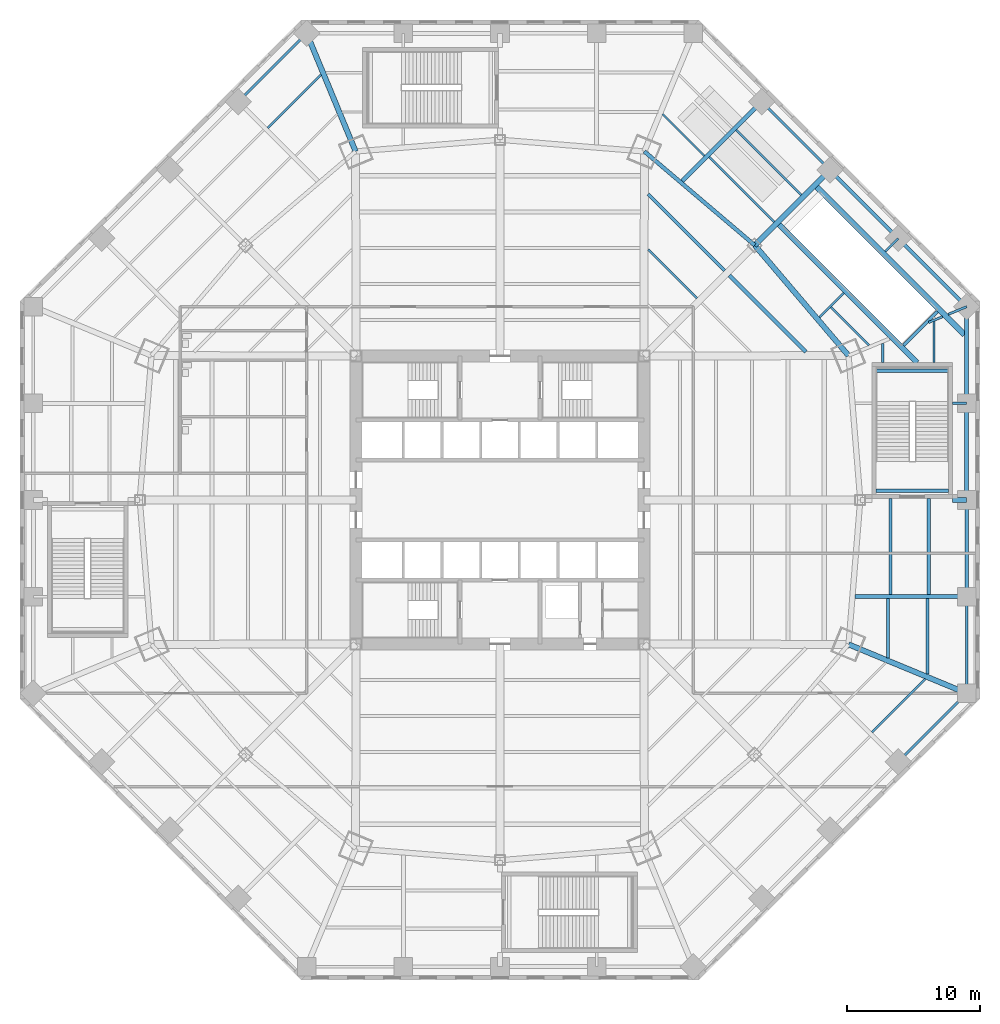
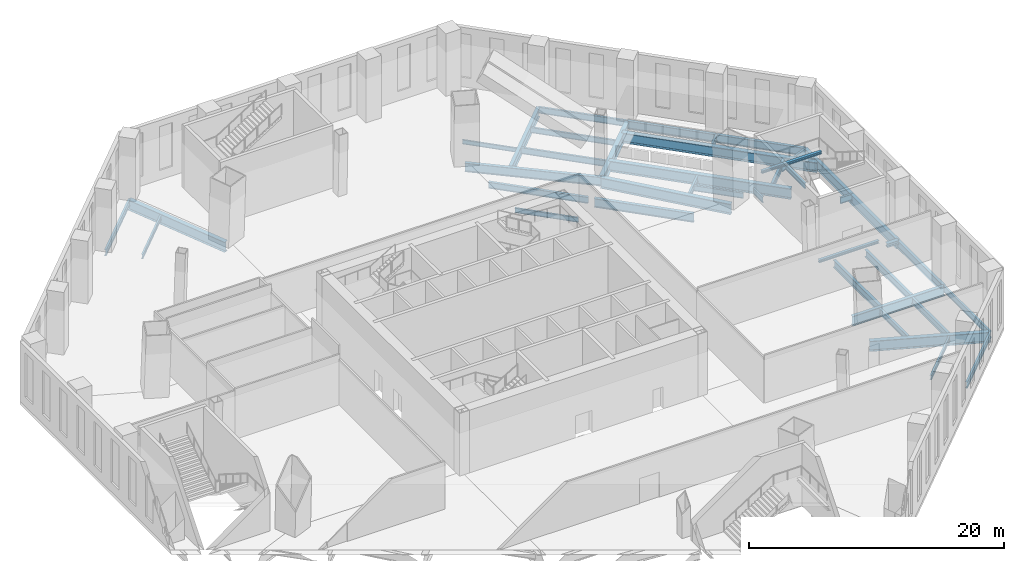
# One storey, part 5 of 20: 39 beams, 3 members.
"""IFC4 building model written with IfcOpenShell, lengths in metres."""

from ifc_helpers import new_model, si_unit, direction, frame, origin, origin_2d, place, context, subcontext, project, spatial, i_section, extrude, source, transform, mapped, material, material_profile, profile_set, type_object, type_shapes, element, save


model = new_model("IFC4")

# Units and contexts
model_context = context("Model", 3, precision=1e-05, world=origin(), true_north=direction((0.0, 1.0)))
body_context = subcontext(model_context, "Body", "Model", "MODEL_VIEW")
ifc_project = project(units=[si_unit("LENGTHUNIT", "METRE"), si_unit("AREAUNIT", "SQUARE_METRE"), si_unit("VOLUMEUNIT", "CUBIC_METRE"), si_unit("PLANEANGLEUNIT", "RADIAN"), si_unit("MASSUNIT", "GRAM", prefix="KILO")], contexts=[model_context])

# Site, building, storey
site_placement = place(None, origin())
site = spatial("IfcSite", under=ifc_project, at=site_placement, CompositionType="ELEMENT")
building_placement = place(site_placement, origin())
building = spatial("IfcBuilding", under=site, at=building_placement, Name="Mashrafa Tower", CompositionType="ELEMENT")
storey_placement = place(building_placement, frame((0.0, 0.0, 7.199951171875)))
storey = spatial("IfcBuildingStorey", under=building, at=storey_placement, Name="L01", CompositionType="ELEMENT", Elevation=7.199951171875)

# Beams
ifc_material_1 = material(Name="Steel ASTM A992", Category="steel")
ifc_material_profile_1 = material_profile(ifc_material_1, i_section(OverallWidth=0.140380859375, OverallDepth=0.40380859375, WebThickness=0.007080078125, FlangeThickness=0.01123046875, FilletRadius=0.01025390625, at=origin_2d()), Name="W16X31")
ifc_profile_set_1 = profile_set([ifc_material_profile_1], Name="Steel ASTM A992")
beam_type_1 = type_object("IfcBeamType", Name="Beam W16X31", PredefinedType="BEAM", material=ifc_profile_set_1)
beam_1_placement = place(storey_placement, frame((12.204833984375, 28.940673828125, -0.501953125), z_axis=(0.707106781187, -0.707106781187, 0.0), x_axis=(0.707106781187, 0.707106781187, 0.0)))
element("IfcBeam", 1, at=beam_1_placement, inside=storey, type_object=beam_type_1, Name="Floor beam L01 079", PredefinedType="BEAM", context=body_context, shape_type="SweptSolid", body=[
    extrude(i_section(OverallWidth=0.140380859375, OverallDepth=0.40380859375, WebThickness=0.007080078125, FlangeThickness=0.01123046875, FilletRadius=0.01025390625, at=origin_2d()), origin(), (0.0, 0.0, 1.0), 4.431396484375),
])
ifc_material_2 = material(Name="Steel ASTM A992", Category="steel")
ifc_material_profile_2 = material_profile(ifc_material_2, i_section(OverallWidth=0.15234375, OverallDepth=0.449462890625, WebThickness=0.007568359375, FlangeThickness=0.0107421875, FilletRadius=0.01025390625, at=origin_2d()), Name="W18X35")
ifc_profile_set_2 = profile_set([ifc_material_profile_2], Name="Steel ASTM A992")
beam_type_2 = type_object("IfcBeamType", Name="Beam W18X35", PredefinedType="BEAM", material=ifc_profile_set_2)
beam_2_placement = place(storey_placement, frame((-17.426513671875, 27.89501953125, -0.524658203125), z_axis=(0.707106781187, 0.707106781187, 0.0), x_axis=(-0.707106781187, 0.707106781187, 0.0)))
element("IfcBeam", 2, at=beam_2_placement, inside=storey, type_object=beam_type_2, Name="Floor beam L01 026", PredefinedType="BEAM", context=body_context, shape_type="SweptSolid", body=[
    extrude(i_section(OverallWidth=0.15234375, OverallDepth=0.449462890625, WebThickness=0.007568359375, FlangeThickness=0.0107421875, FilletRadius=0.01025390625, at=origin_2d()), origin(), (0.0, 0.0, 1.0), 5.65478515625),
])
beam_3_placement = place(storey_placement, frame((11.11474609375, 18.791015625, -0.524658203125), z_axis=(0.707106781187, -0.707106781187, 0.0), x_axis=(0.707106781187, 0.707106781187, 0.0)))
element("IfcBeam", 3, at=beam_3_placement, inside=storey, type_object=beam_type_2, Name="Floor beam L01 074", PredefinedType="BEAM", context=body_context, shape_type="SweptSolid", body=[
    extrude(i_section(OverallWidth=0.15234375, OverallDepth=0.449462890625, WebThickness=0.007568359375, FlangeThickness=0.0107421875, FilletRadius=0.01025390625, at=origin_2d()), origin(), (0.0, 0.0, 1.0), 5.177978515625),
])
beam_4_placement = place(storey_placement, frame((31.8935546875, -13.427978515625, -0.524658203125), z_axis=(-0.707106781187, -0.707106781187, 0.0), x_axis=(0.707106781187, -0.707106781187, 0.0)))
element("IfcBeam", 4, at=beam_4_placement, inside=storey, type_object=beam_type_2, Name="Floor beam L01 114", PredefinedType="BEAM", context=body_context, shape_type="SweptSolid", body=[
    extrude(i_section(OverallWidth=0.15234375, OverallDepth=0.449462890625, WebThickness=0.007568359375, FlangeThickness=0.0107421875, FilletRadius=0.01025390625, at=origin_2d()), origin(), (0.0, 0.0, 1.0), 5.65478515625),
])
ifc_material_3 = material(Name="Steel ASTM A992", Category="steel")
ifc_material_profile_3 = material_profile(ifc_material_3, i_section(OverallWidth=0.1650390625, OverallDepth=0.52587890625, WebThickness=0.0087890625, FlangeThickness=0.011474609375, FilletRadius=0.0126953125, at=origin_2d()), Name="W21X44")
ifc_profile_set_3 = profile_set([ifc_material_profile_3], Name="Steel ASTM A992")
beam_type_3 = type_object("IfcBeamType", Name="Beam W21X44", PredefinedType="BEAM", material=ifc_profile_set_3)
beam_5_placement = place(storey_placement, frame((17.712158203125, 27.74609375, -0.562744140625), z_axis=(0.707124486521, -0.707089075409, 0.0), x_axis=(0.707089075409, 0.707124486521, 0.0)))
element("IfcBeam", 5, at=beam_5_placement, inside=storey, type_object=beam_type_3, Name="Floor beam L01 096", PredefinedType="BEAM", context=body_context, shape_type="SweptSolid", body=[
    extrude(i_section(OverallWidth=0.1650390625, OverallDepth=0.52587890625, WebThickness=0.0087890625, FlangeThickness=0.011474609375, FilletRadius=0.0126953125, at=origin_2d()), origin(), (0.0, 0.0, 1.0), 6.89453125),
])
beam_6_placement = place(storey_placement, frame((24.825439453125, 14.4482421875, -0.562744140625), z_axis=(0.70707647293, -0.707137088144, 0.0), x_axis=(0.707137088144, 0.70707647293, 0.0)))
element("IfcBeam", 6, at=beam_6_placement, inside=storey, type_object=beam_type_3, Name="Floor beam L01 107", PredefinedType="BEAM", context=body_context, shape_type="SweptSolid", body=[
    extrude(i_section(OverallWidth=0.1650390625, OverallDepth=0.52587890625, WebThickness=0.0087890625, FlangeThickness=0.011474609375, FilletRadius=0.0126953125, at=origin_2d()), origin(), (0.0, 0.0, 1.0), 4.02783203125),
])
beam_7_placement = place(storey_placement, frame((28.709716796875, 11.75439453125, -0.562744140625), z_axis=(0.0, -1.0, 0.0), x_axis=(1.0, 0.0, 0.0)))
element("IfcBeam", 7, at=beam_7_placement, inside=storey, type_object=beam_type_3, Name="Floor beam L01 110", PredefinedType="BEAM", context=body_context, shape_type="SweptSolid", body=[
    extrude(i_section(OverallWidth=0.1650390625, OverallDepth=0.52587890625, WebThickness=0.0087890625, FlangeThickness=0.011474609375, FilletRadius=0.0126953125, at=origin_2d()), origin(), (0.0, 0.0, 1.0), 1.454345703125),
])
beam_8_placement = place(storey_placement, frame((32.561279296875, 13.39111328125, -0.562744140625), z_axis=(0.0, -1.0, 0.0), x_axis=(1.0, 0.0, 0.0)))
element("IfcBeam", 8, at=beam_8_placement, inside=storey, type_object=beam_type_3, Name="Floor beam L01 117 part 2", PredefinedType="BEAM", context=body_context, shape_type="SweptSolid", body=[
    extrude(i_section(OverallWidth=0.1650390625, OverallDepth=0.52587890625, WebThickness=0.0087890625, FlangeThickness=0.011474609375, FilletRadius=0.0126953125, at=origin_2d()), origin(), (0.0, 0.0, 1.0), 3.091064453125),
])
ifc_material_4 = material(Name="Steel ASTM A992", Category="steel")
ifc_material_profile_4 = material_profile(ifc_material_4, i_section(OverallWidth=0.209228515625, OverallDepth=0.533447265625, WebThickness=0.01025390625, FlangeThickness=0.015625, FilletRadius=0.012939453125, at=origin_2d()), Name="W21X62")
ifc_profile_set_4 = profile_set([ifc_material_profile_4], Name="Steel ASTM A992")
beam_type_4 = type_object("IfcBeamType", Name="Beam W21X62", PredefinedType="BEAM", material=ifc_profile_set_4)
beam_9_placement = place(storey_placement, frame((29.09423828125, -7.40234375, -0.566650390625), z_axis=(0.0, -1.0, 0.0), x_axis=(1.0, 0.0, 0.0)))
element("IfcBeam", 9, at=beam_9_placement, inside=storey, type_object=beam_type_4, Name="Floor beam L01 112", PredefinedType="BEAM", context=body_context, shape_type="SweptSolid", body=[
    extrude(i_section(OverallWidth=0.209228515625, OverallDepth=0.533447265625, WebThickness=0.01025390625, FlangeThickness=0.015625, FilletRadius=0.012939453125, at=origin_2d()), origin(), (0.0, 0.0, 1.0), 4.431640625),
])
ifc_material_5 = material(Name="Steel ASTM A992", Category="steel")
ifc_material_profile_5 = material_profile(ifc_material_5, i_section(OverallWidth=0.177978515625, OverallDepth=0.599365234375, WebThickness=0.010009765625, FlangeThickness=0.012939453125, FilletRadius=0.012939453125, at=origin_2d()), Name="W24X55")
ifc_profile_set_5 = profile_set([ifc_material_profile_5], Name="Steel ASTM A992")
beam_type_5 = type_object("IfcBeamType", Name="Beam W24X55", PredefinedType="BEAM", material=ifc_profile_set_5)
beam_10_placement = place(storey_placement, frame((15.692626953125, 25.7265625, -0.599609375), z_axis=(0.707106781187, -0.707106781187, 0.0), x_axis=(0.707106781187, 0.707106781187, 0.0)))
element("IfcBeam", 10, at=beam_10_placement, inside=storey, type_object=beam_type_5, Name="Floor beam L01 090", PredefinedType="BEAM", context=body_context, shape_type="SweptSolid", body=[
    extrude(i_section(OverallWidth=0.177978515625, OverallDepth=0.599365234375, WebThickness=0.010009765625, FlangeThickness=0.012939453125, FilletRadius=0.012939453125, at=origin_2d()), origin(), (0.0, 0.0, 1.0), 6.894287109375),
])
beam_11_placement = place(storey_placement, frame((-14.49755859375, 35.0, -0.599609375), z_axis=(-0.707106781187, -0.707106781187, 0.0), x_axis=(0.707106781187, -0.707106781187, 0.0)))
element("IfcBeam", 11, at=beam_11_placement, inside=storey, type_object=beam_type_5, Name="Podium edge beam L01 131", PredefinedType="BEAM", context=body_context, shape_type="SweptSolid", body=[
    extrude(i_section(OverallWidth=0.177978515625, OverallDepth=0.599365234375, WebThickness=0.010009765625, FlangeThickness=0.012939453125, FilletRadius=0.012939453125, at=origin_2d()), origin(), (0.0, 0.0, 1.0), 7.24853515625),
])
beam_12_placement = place(storey_placement, frame((24.748779296875, 24.748779296875, -0.599609375), z_axis=(-0.707106781187, 0.707106781187, 0.0), x_axis=(-0.707106781187, -0.707106781187, 0.0)))
element("IfcBeam", 12, at=beam_12_placement, inside=storey, type_object=beam_type_5, Name="Podium edge beam L01 143", PredefinedType="BEAM", context=body_context, shape_type="SweptSolid", body=[
    extrude(i_section(OverallWidth=0.177978515625, OverallDepth=0.599365234375, WebThickness=0.010009765625, FlangeThickness=0.012939453125, FilletRadius=0.012939453125, at=origin_2d()), origin(), (0.0, 0.0, 1.0), 7.248779296875),
])
beam_13_placement = place(storey_placement, frame((29.87451171875, -19.623046875, -0.599609375), z_axis=(0.707106781187, 0.707106781187, 0.0), x_axis=(-0.707106781187, 0.707106781187, 0.0)))
element("IfcBeam", 13, at=beam_13_placement, inside=storey, type_object=beam_type_5, Name="Podium edge beam L01 144", PredefinedType="BEAM", context=body_context, shape_type="SweptSolid", body=[
    extrude(i_section(OverallWidth=0.177978515625, OverallDepth=0.599365234375, WebThickness=0.010009765625, FlangeThickness=0.012939453125, FilletRadius=0.012939453125, at=origin_2d()), origin(), (0.0, 0.0, 1.0), 7.24853515625),
])
beam_14_placement = place(storey_placement, frame((35.0, -14.49755859375, -0.599609375), z_axis=(0.0, 1.0, 0.0), x_axis=(-1.0, 0.0, 0.0)))
element("IfcBeam", 14, at=beam_14_placement, inside=storey, type_object=beam_type_5, Name="Podium edge beam L01 146", PredefinedType="BEAM", context=body_context, shape_type="SweptSolid", body=[
    extrude(i_section(OverallWidth=0.177978515625, OverallDepth=0.599365234375, WebThickness=0.010009765625, FlangeThickness=0.012939453125, FilletRadius=0.012939453125, at=origin_2d()), origin(), (0.0, 0.0, 1.0), 7.248779296875),
])
beam_15_placement = place(storey_placement, frame((23.9580078125, 13.706787109375, -0.599609375), z_axis=(0.707106781187, 0.707106781187, 0.0), x_axis=(-0.707106781187, 0.707106781187, 0.0)))
element("IfcBeam", 15, at=beam_15_placement, inside=storey, type_object=beam_type_5, Name="Podium radial beam L01 183", PredefinedType="BEAM", context=body_context, shape_type="SweptSolid", body=[
    extrude(i_section(OverallWidth=0.177978515625, OverallDepth=0.599365234375, WebThickness=0.010009765625, FlangeThickness=0.012939453125, FilletRadius=0.012939453125, at=origin_2d()), origin(), (0.0, 0.0, 1.0), 2.56640625),
])
beam_16_placement = place(storey_placement, frame((32.142578125, 13.31396484375, -0.599609375), z_axis=(0.923930062255, 0.382561419986, 0.0), x_axis=(-0.382561419986, 0.923930062255, 0.0)))
element("IfcBeam", 16, at=beam_16_placement, inside=storey, type_object=beam_type_5, Name="Podium radial beam L01 190 part 1", PredefinedType="BEAM", context=body_context, shape_type="SweptSolid", body=[
    extrude(i_section(OverallWidth=0.177978515625, OverallDepth=0.599365234375, WebThickness=0.010009765625, FlangeThickness=0.012939453125, FilletRadius=0.012939453125, at=origin_2d()), origin(), (0.0, 0.0, 1.0), 1.131591796875),
])
beam_17_placement = place(storey_placement, frame((33.612060546875, 13.922607421875, -0.599609375), z_axis=(0.923868276622, 0.382710605355, 0.0), x_axis=(-0.382710605355, 0.923868276622, 0.0)))
element("IfcBeam", 17, at=beam_17_placement, inside=storey, type_object=beam_type_5, Name="Podium radial beam L01 190 part 2", PredefinedType="BEAM", context=body_context, shape_type="SweptSolid", body=[
    extrude(i_section(OverallWidth=0.177978515625, OverallDepth=0.599365234375, WebThickness=0.010009765625, FlangeThickness=0.012939453125, FilletRadius=0.012939453125, at=origin_2d()), origin(), (0.0, 0.0, 1.0), 1.502197265625),
])
ifc_material_6 = material(Name="Steel ASTM A992", Category="steel")
ifc_material_profile_6 = material_profile(ifc_material_6, i_section(OverallWidth=0.227783203125, OverallDepth=0.60205078125, WebThickness=0.010498046875, FlangeThickness=0.014892578125, FilletRadius=0.012939453125, at=origin_2d()), Name="W24X68")
ifc_profile_set_6 = profile_set([ifc_material_profile_6], Name="Steel ASTM A992")
beam_type_6 = type_object("IfcBeamType", Name="Beam W24X68", PredefinedType="BEAM", material=ifc_profile_set_6)
beam_18_placement = place(storey_placement, frame((11.122314453125, 22.936279296875, -0.600830078125), z_axis=(0.707106781187, -0.707106781187, 0.0), x_axis=(0.707106781187, 0.707106781187, 0.0)))
element("IfcBeam", 18, at=beam_18_placement, inside=storey, type_object=beam_type_6, Name="Floor beam L01 076", PredefinedType="BEAM", context=body_context, shape_type="SweptSolid", body=[
    extrude(i_section(OverallWidth=0.227783203125, OverallDepth=0.60205078125, WebThickness=0.010498046875, FlangeThickness=0.014892578125, FilletRadius=0.012939453125, at=origin_2d()), origin(), (0.0, 0.0, 1.0), 8.103759765625),
])
beam_19_placement = place(storey_placement, frame((32.047119140625, -7.40234375, -0.600830078125), z_axis=(0.0, -1.0, 0.0), x_axis=(1.0, 0.0, 0.0)))
element("IfcBeam", 19, at=beam_19_placement, inside=storey, type_object=beam_type_6, Name="Floor beam L01 115", PredefinedType="BEAM", context=body_context, shape_type="SweptSolid", body=[
    extrude(i_section(OverallWidth=0.227783203125, OverallDepth=0.60205078125, WebThickness=0.010498046875, FlangeThickness=0.014892578125, FilletRadius=0.012939453125, at=origin_2d()), origin(), (0.0, 0.0, 1.0), 5.65478515625),
])
beam_20_placement = place(storey_placement, frame((30.2646484375, 11.596923828125, -0.600830078125), z_axis=(0.707106781187, 0.707106781187, 0.0), x_axis=(-0.707106781187, 0.707106781187, 0.0)))
element("IfcBeam", 20, at=beam_20_placement, inside=storey, type_object=beam_type_6, Name="Header beam L01 118", PredefinedType="BEAM", context=body_context, shape_type="SweptSolid", body=[
    extrude(i_section(OverallWidth=0.227783203125, OverallDepth=0.60205078125, WebThickness=0.010498046875, FlangeThickness=0.014892578125, FilletRadius=0.012939453125, at=origin_2d()), origin(), (0.0, 0.0, 1.0), 3.58740234375),
])
ifc_material_7 = material(Name="Steel ASTM A992", Category="steel")
ifc_material_profile_7 = material_profile(ifc_material_7, i_section(OverallWidth=0.256591796875, OverallDepth=0.693359375, WebThickness=0.014404296875, FlangeThickness=0.023681640625, FilletRadius=0.01513671875, at=origin_2d()), Name="W27X114")
ifc_profile_set_7 = profile_set([ifc_material_profile_7], Name="Steel ASTM A992")
beam_type_7 = type_object("IfcBeamType", Name="Beam W27X114", PredefinedType="BEAM", material=ifc_profile_set_7)
beam_21_placement = place(storey_placement, frame((29.28759765625, 0.10009765625, -0.646728515625), z_axis=(0.0, -1.0, 0.0), x_axis=(1.0, 0.0, 0.0)))
element("IfcBeam", 21, at=beam_21_placement, inside=storey, type_object=beam_type_7, Name="Floor beam L01 113", PredefinedType="BEAM", context=body_context, shape_type="SweptSolid", body=[
    extrude(i_section(OverallWidth=0.256591796875, OverallDepth=0.693359375, WebThickness=0.014404296875, FlangeThickness=0.023681640625, FilletRadius=0.01513671875, at=origin_2d()), origin(), (0.0, 0.0, 1.0), 7.195068359375),
])
ifc_material_8 = material(Name="Steel ASTM A992", Category="steel")
ifc_material_profile_8 = material_profile(ifc_material_8, i_section(OverallWidth=0.25390625, OverallDepth=0.683349609375, WebThickness=0.012451171875, FlangeThickness=0.01904296875, FilletRadius=0.01513671875, at=origin_2d()), Name="W27X94")
ifc_profile_set_8 = profile_set([ifc_material_profile_8], Name="Steel ASTM A992")
beam_type_8 = type_object("IfcBeamType", Name="Beam W27X94", PredefinedType="BEAM", material=ifc_profile_set_8)
beam_22_placement = place(storey_placement, frame((32.143798828125, 0.10009765625, -0.6416015625), z_axis=(0.0, -1.0, 0.0), x_axis=(1.0, 0.0, 0.0)))
element("IfcBeam", 22, at=beam_22_placement, inside=storey, type_object=beam_type_8, Name="Floor beam L01 116", PredefinedType="BEAM", context=body_context, shape_type="SweptSolid", body=[
    extrude(i_section(OverallWidth=0.25390625, OverallDepth=0.683349609375, WebThickness=0.012451171875, FlangeThickness=0.01904296875, FilletRadius=0.01513671875, at=origin_2d()), origin(), (0.0, 0.0, 1.0), 7.195068359375),
])
ifc_material_9 = material(Name="Steel ASTM A992", Category="steel")
ifc_material_profile_9 = material_profile(ifc_material_9, i_section(OverallWidth=0.2666015625, OverallDepth=0.75439453125, WebThickness=0.01318359375, FlangeThickness=0.01708984375, FilletRadius=0.0166015625, at=origin_2d()), Name="W30X99")
ifc_profile_set_9 = profile_set([ifc_material_profile_9], Name="Steel ASTM A992")
beam_type_9 = type_object("IfcBeamType", Name="Beam W30X99", PredefinedType="BEAM", material=ifc_profile_set_9)
for number, where, z_axis, x_axis, name in (
    (23, (29.87451171875, 19.623046875, -0.67724609375), (-0.707106781187, 0.707106781187, 0.0), (-0.707106781187, -0.707106781187, 0.0), "Podium edge beam L01 145"),
    (24, (35.0, -7.248779296875, -0.67724609375), (0.0, 1.0, 0.0), (-1.0, 0.0, 0.0), "Podium edge beam L01 147"),
):
    element("IfcBeam", number, at=place(storey_placement, frame(where, z_axis=z_axis, x_axis=x_axis)), inside=storey, type_object=beam_type_9, Name=name, PredefinedType="BEAM", context=body_context, shape_type="SweptSolid", body=[
        extrude(i_section(OverallWidth=0.2666015625, OverallDepth=0.75439453125, WebThickness=0.01318359375, FlangeThickness=0.01708984375, FilletRadius=0.0166015625, at=origin_2d()), origin(), (0.0, 0.0, 1.0), 7.248779296875),
    ])
beam_23_placement = place(storey_placement, frame((35.0, 14.49755859375, -0.67724609375), z_axis=(-0.707106781187, 0.707106781187, 0.0), x_axis=(-0.707106781187, -0.707106781187, 0.0)))
element("IfcBeam", 25, at=beam_23_placement, inside=storey, type_object=beam_type_9, Name="Podium edge beam L01 150", PredefinedType="BEAM", context=body_context, shape_type="SweptSolid", body=[
    extrude(i_section(OverallWidth=0.2666015625, OverallDepth=0.75439453125, WebThickness=0.01318359375, FlangeThickness=0.01708984375, FilletRadius=0.0166015625, at=origin_2d()), origin(), (0.0, 0.0, 1.0), 7.24853515625),
])
ifc_material_10 = material(Name="Steel ASTM A992", Category="steel")
ifc_material_profile_10 = material_profile(ifc_material_10, i_section(OverallWidth=0.2919921875, OverallDepth=0.8408203125, WebThickness=0.0146484375, FlangeThickness=0.021728515625, FilletRadius=0.017333984375, at=origin_2d()), Name="W33X130")
ifc_profile_set_10 = profile_set([ifc_material_profile_10], Name="Steel ASTM A992")
beam_type_10 = type_object("IfcBeamType", Name="Beam W33X130", PredefinedType="BEAM", material=ifc_profile_set_10)
beam_24_placement = place(storey_placement, frame((17.2060546875, 16.8525390625, -0.72021484375), z_axis=(0.707106781187, -0.707106781187, 0.0), x_axis=(0.707106781187, 0.707106781187, 0.0)))
element("IfcBeam", 26, at=beam_24_placement, inside=storey, type_object=beam_type_10, Name="Floor beam L01 094", PredefinedType="BEAM", context=body_context, shape_type="SweptSolid", body=[
    extrude(i_section(OverallWidth=0.2919921875, OverallDepth=0.8408203125, WebThickness=0.0146484375, FlangeThickness=0.021728515625, FilletRadius=0.017333984375, at=origin_2d()), origin(), (0.0, 0.0, 1.0), 8.103759765625),
])
beam_25_placement = place(storey_placement, frame((19.105712890625, 19.105712890625, -0.72021484375), z_axis=(-0.761953179851, 0.647632111398, 0.0), x_axis=(-0.647632111398, -0.761953179851, 0.0)))
element("IfcBeam", 27, at=beam_25_placement, inside=storey, type_object=beam_type_10, Name="Podium ring girder L01 205", PredefinedType="BEAM", context=body_context, shape_type="SweptSolid", body=[
    extrude(i_section(OverallWidth=0.2919921875, OverallDepth=0.8408203125, WebThickness=0.0146484375, FlangeThickness=0.021728515625, FilletRadius=0.017333984375, at=origin_2d()), origin(), (0.0, 0.0, 1.0), 10.863525390625),
])
ifc_material_11 = material(Name="Steel ASTM A992", Category="steel")
ifc_material_profile_11 = material_profile(ifc_material_11, i_section(OverallWidth=0.3046875, OverallDepth=0.911865234375, WebThickness=0.015869140625, FlangeThickness=0.02392578125, FilletRadius=0.01904296875, at=origin_2d()), Name="W36X150")
ifc_profile_set_11 = profile_set([ifc_material_profile_11], Name="Steel ASTM A992")
beam_type_11 = type_object("IfcBeamType", Name="Beam W36X150", PredefinedType="BEAM", material=ifc_profile_set_11)
for number, where, z_axis, x_axis, name in (
    (28, (35.0, 0.0, -0.755859375), (0.0, 1.0, 0.0), (-1.0, 0.0, 0.0), "Podium edge beam L01 148"),
    (29, (35.0, 7.248779296875, -0.755859375), (0.0, 1.0, 0.0), (-1.0, 0.0, 0.0), "Podium edge beam L01 149"),
):
    element("IfcBeam", number, at=place(storey_placement, frame(where, z_axis=z_axis, x_axis=x_axis)), inside=storey, type_object=beam_type_11, Name=name, PredefinedType="BEAM", context=body_context, shape_type="SweptSolid", body=[
        extrude(i_section(OverallWidth=0.3046875, OverallDepth=0.911865234375, WebThickness=0.015869140625, FlangeThickness=0.02392578125, FilletRadius=0.01904296875, at=origin_2d()), origin(), (0.0, 0.0, 1.0), 7.248779296875),
    ])
ifc_material_12 = material(Name="Steel ASTM A992", Category="steel")
ifc_material_profile_12 = material_profile(ifc_material_12, i_section(OverallWidth=0.307373046875, OverallDepth=0.927001953125, WebThickness=0.01953125, FlangeThickness=0.031982421875, FilletRadius=0.01904296875, at=origin_2d()), Name="W36X194")
ifc_profile_set_12 = profile_set([ifc_material_profile_12], Name="Steel ASTM A992")
beam_type_12 = type_object("IfcBeamType", Name="Beam W36X194", PredefinedType="BEAM", material=ifc_profile_set_12)
beam_26_placement = place(storey_placement, frame((13.66796875, 23.919189453125, -0.763427734375), z_axis=(0.70709228669, 0.707121275386, 0.0), x_axis=(-0.707121275386, 0.70709228669, 0.0)))
element("IfcBeam", 30, at=beam_26_placement, inside=storey, type_object=beam_type_12, Name="Podium radial beam L01 179", PredefinedType="BEAM", context=body_context, shape_type="SweptSolid", body=[
    extrude(i_section(OverallWidth=0.307373046875, OverallDepth=0.927001953125, WebThickness=0.01953125, FlangeThickness=0.031982421875, FilletRadius=0.01904296875, at=origin_2d()), origin(), (0.0, 0.0, 1.0), 8.421875),
])
beam_27_placement = place(storey_placement, frame((26.6328125, -7.248779296875, -0.763427734375), z_axis=(1.0, 0.0, 0.0), x_axis=(0.0, 1.0, 0.0)))
element("IfcBeam", 31, at=beam_27_placement, inside=storey, type_object=beam_type_12, Name="Podium radial beam L01 186", PredefinedType="BEAM", context=body_context, shape_type="SweptSolid", body=[
    extrude(i_section(OverallWidth=0.307373046875, OverallDepth=0.927001953125, WebThickness=0.01953125, FlangeThickness=0.031982421875, FilletRadius=0.01904296875, at=origin_2d()), origin(), (0.0, 0.0, 1.0), 8.3671875),
])
ifc_material_13 = material(Name="Steel ASTM A992", Category="steel")
ifc_material_profile_13 = material_profile(ifc_material_13, i_section(OverallWidth=0.424072265625, OverallDepth=0.960205078125, WebThickness=0.028564453125, FlangeThickness=0.051025390625, FilletRadius=0.02001953125, at=origin_2d()), Name="W36X361")
ifc_profile_set_13 = profile_set([ifc_material_profile_13], Name="Steel ASTM A992")
beam_type_13 = type_object("IfcBeamType", Name="Beam W36X361", PredefinedType="BEAM", material=ifc_profile_set_13)
beam_28_placement = place(storey_placement, frame((34.84765625, 12.38720703125, -0.780029296875), z_axis=(-0.707106781187, 0.707106781187, 0.0), x_axis=(-0.707106781187, -0.707106781187, 0.0)))
element("IfcBeam", 32, at=beam_28_placement, inside=storey, type_object=beam_type_13, Name="Trimmer beam L01 226", PredefinedType="BEAM", context=body_context, shape_type="SweptSolid", body=[
    extrude(i_section(OverallWidth=0.424072265625, OverallDepth=0.960205078125, WebThickness=0.028564453125, FlangeThickness=0.051025390625, FilletRadius=0.02001953125, at=origin_2d()), origin(), (0.0, 0.0, 1.0), 15.8818359375),
])
ifc_material_14 = material(Name="Steel ASTM A992", Category="steel")
ifc_material_profile_14 = material_profile(ifc_material_14, i_section(OverallWidth=0.4013671875, OverallDepth=0.98291015625, WebThickness=0.0166015625, FlangeThickness=0.027099609375, FilletRadius=0.0126953125, at=origin_2d()), Name="W40X199")
ifc_profile_set_14 = profile_set([ifc_material_profile_14], Name="Steel ASTM A992")
beam_type_14 = type_object("IfcBeamType", Name="Beam W40X199", PredefinedType="BEAM", material=ifc_profile_set_14)
beam_29_placement = place(storey_placement, frame((-10.828125, 26.141357421875, -0.79150390625), z_axis=(-0.38268910224, 0.923877183952, 0.0), x_axis=(-0.923877183952, -0.38268910224, 0.0)))
element("IfcBeam", 33, at=beam_29_placement, inside=storey, type_object=beam_type_14, Name="Podium radial beam L01 165", PredefinedType="BEAM", context=body_context, shape_type="SweptSolid", body=[
    extrude(i_section(OverallWidth=0.4013671875, OverallDepth=0.98291015625, WebThickness=0.0166015625, FlangeThickness=0.027099609375, FilletRadius=0.0126953125, at=origin_2d()), origin(), (0.0, 0.0, 1.0), 9.588623046875),
])
beam_30_placement = place(storey_placement, frame((19.105712890625, 19.105712890625, -0.79150390625), z_axis=(0.707106781187, 0.707106781187, 0.0), x_axis=(-0.707106781187, 0.707106781187, 0.0)))
element("IfcBeam", 34, at=beam_30_placement, inside=storey, type_object=beam_type_14, Name="Podium radial beam L01 181", PredefinedType="BEAM", context=body_context, shape_type="SweptSolid", body=[
    extrude(i_section(OverallWidth=0.4013671875, OverallDepth=0.98291015625, WebThickness=0.0166015625, FlangeThickness=0.027099609375, FilletRadius=0.0126953125, at=origin_2d()), origin(), (0.0, 0.0, 1.0), 7.98046875),
])
beam_31_placement = place(storey_placement, frame((26.141357421875, -10.828125, -0.79150390625), z_axis=(0.923877183952, -0.38268910224, 0.0), x_axis=(0.38268910224, 0.923877183952, 0.0)))
element("IfcBeam", 35, at=beam_31_placement, inside=storey, type_object=beam_type_14, Name="Podium radial beam L01 184", PredefinedType="BEAM", context=body_context, shape_type="SweptSolid", body=[
    extrude(i_section(OverallWidth=0.4013671875, OverallDepth=0.98291015625, WebThickness=0.0166015625, FlangeThickness=0.027099609375, FilletRadius=0.0126953125, at=origin_2d()), origin(), (0.0, 0.0, 1.0), 9.588623046875),
])
ifc_material_15 = material(Name="Steel ASTM A992", Category="steel")
ifc_material_profile_15 = material_profile(ifc_material_15, i_section(OverallWidth=0.4013671875, OverallDepth=1.010986328125, WebThickness=0.023681640625, FlangeThickness=0.0419921875, FilletRadius=0.02001953125, at=origin_2d()), Name="W40X297")
ifc_profile_set_15 = profile_set([ifc_material_profile_15], Name="Steel ASTM A992")
beam_type_15 = type_object("IfcBeamType", Name="Beam W40X297", PredefinedType="BEAM", material=ifc_profile_set_15)
beam_32_placement = place(storey_placement, frame((26.141357421875, 10.828125, -0.805419921875), z_axis=(-0.647632111398, 0.761953179851, 0.0), x_axis=(-0.761953179851, -0.647632111398, 0.0)))
element("IfcBeam", 36, at=beam_32_placement, inside=storey, type_object=beam_type_15, Name="Podium ring girder L01 207", PredefinedType="BEAM", context=body_context, shape_type="SweptSolid", body=[
    extrude(i_section(OverallWidth=0.4013671875, OverallDepth=1.010986328125, WebThickness=0.023681640625, FlangeThickness=0.0419921875, FilletRadius=0.02001953125, at=origin_2d()), origin(), (0.0, 0.0, 1.0), 10.863525390625),
])
beam_33_placement = place(storey_placement, frame((31.27783203125, 10.300048828125, -0.805419921875), z_axis=(-0.707115010487, 0.70709855179, 0.0), x_axis=(-0.70709855179, -0.707115010487, 0.0)))
element("IfcBeam", 37, at=beam_33_placement, inside=storey, type_object=beam_type_15, Name="Trimmer beam L01 225", PredefinedType="BEAM", context=body_context, shape_type="SweptSolid", body=[
    extrude(i_section(OverallWidth=0.4013671875, OverallDepth=1.010986328125, WebThickness=0.023681640625, FlangeThickness=0.0419921875, FilletRadius=0.02001953125, at=origin_2d()), origin(), (0.0, 0.0, 1.0), 14.83349609375),
])
ifc_material_16 = material(Name="Steel ASTM A992", Category="steel")
ifc_material_profile_16 = material_profile(ifc_material_16, i_section(OverallWidth=0.25390625, OverallDepth=0.25390625, WebThickness=0.008544921875, FlangeThickness=0.01416015625, FilletRadius=0.010009765625, at=origin_2d()), Name="W10X49")
ifc_profile_set_16 = profile_set([ifc_material_profile_16], Name="Steel ASTM A992")
beam_type_16 = type_object("IfcBeamType", Name="Hoistway beam W10X49", PredefinedType="BEAM", material=ifc_profile_set_16)
for number, where, z_axis, x_axis, name in (
    (38, (28.199951171875, 0.699951171875, -0.427001953125), (1.0, 0.0, 0.0), (0.0, 1.0, 0.0), "Stair P1 landing beam L01"),
    (39, (28.199951171875, 9.699951171875, 2.673095703125), (1.0, 0.0, 0.0), (0.0, 1.0, 0.0), "Stair P1 landing beam L01"),
):
    element("IfcBeam", number, at=place(storey_placement, frame(where, z_axis=z_axis, x_axis=x_axis)), inside=storey, type_object=beam_type_16, Name=name, PredefinedType="BEAM", context=body_context, shape_type="SweptSolid", body=[
        extrude(i_section(OverallWidth=0.25390625, OverallDepth=0.25390625, WebThickness=0.008544921875, FlangeThickness=0.01416015625, FilletRadius=0.010009765625, at=origin_2d()), origin(), (0.0, 0.0, 1.0), 5.449951171875),
    ])

# Members
ifc_material_17 = material(Name="Steel ASTM A992", Category="steel")
ifc_material_profile_17 = material_profile(ifc_material_17, i_section(OverallWidth=0.177978515625, OverallDepth=0.599365234375, WebThickness=0.010009765625, FlangeThickness=0.012939453125, FilletRadius=0.012939453125, at=origin_2d()), Name="W24X55")
ifc_profile_set_17 = profile_set([ifc_material_profile_17], Name="Steel ASTM A992")
member_type_1 = type_object("IfcMemberType", Name="Tie strut W24X55", PredefinedType="STRUT", material=ifc_profile_set_17)
shared_shape_1 = source(origin(), body_context, "Body", "SweptSolid", [
    extrude(i_section(OverallWidth=0.177978515625, OverallDepth=0.599365234375, WebThickness=0.010009765625, FlangeThickness=0.012939453125, FilletRadius=0.012939453125, at=origin_2d()), origin(), (0.0, 0.0, 1.0), 1.050048828125),
])
member_1_placement = place(storey_placement, frame((33.949951171875, 7.248779296875, -0.599609375), z_axis=(1.0, 0.0, 0.0), x_axis=(0.0, 1.0, 0.0)))
element("IfcMember", 40, at=member_1_placement, inside=storey, type_object=member_type_1, Name="Tie strut L01 192", PredefinedType="STRUT", context=body_context, shape_type="MappedRepresentation", body=[
    mapped(shared_shape_1, transform((0.0, 0.0, 0.0))),
])
ifc_material_18 = material(Name="Steel ASTM A992", Category="steel")
ifc_material_profile_18 = material_profile(ifc_material_18, i_section(OverallWidth=0.368408203125, OverallDepth=0.355712890625, WebThickness=0.01123046875, FlangeThickness=0.01806640625, FilletRadius=0.01513671875, at=origin_2d()), Name="W14X90")
ifc_profile_set_18 = profile_set([ifc_material_profile_18], Name="Steel ASTM A992")
member_type_2 = type_object("IfcMemberType", Name="Tie strut W14X90", PredefinedType="STRUT", material=ifc_profile_set_18)
shared_shape_2 = source(origin(), body_context, "Body", "SweptSolid", [
    extrude(i_section(OverallWidth=0.368408203125, OverallDepth=0.355712890625, WebThickness=0.01123046875, FlangeThickness=0.01806640625, FilletRadius=0.01513671875, at=origin_2d()), origin(), (0.0, 0.0, 1.0), 1.050048828125),
])
type_shapes(member_type_2, [shared_shape_2])
member_2_placement = place(storey_placement, frame((33.949951171875, 0.0, -0.477783203125), z_axis=(1.0, 0.0, 0.0), x_axis=(0.0, 1.0, 0.0)))
element("IfcMember", 41, at=member_2_placement, inside=storey, type_object=member_type_2, Name="Tie strut L01 191", PredefinedType="STRUT", context=body_context, shape_type="MappedRepresentation", body=[
    mapped(shared_shape_2, transform((0.0, 0.0, 0.0))),
])
shared_shape_3 = source(origin(), body_context, "Body", "SweptSolid", [
    extrude(i_section(OverallWidth=0.177978515625, OverallDepth=0.599365234375, WebThickness=0.010009765625, FlangeThickness=0.012939453125, FilletRadius=0.012939453125, at=origin_2d()), origin(), (0.0, 0.0, 1.0), 1.387939453125),
])
type_shapes(member_type_1, [shared_shape_1, shared_shape_3])
member_3_placement = place(storey_placement, frame((28.89306640625, 18.6416015625, -0.599609375), z_axis=(0.707106781187, 0.707106781187, 0.0), x_axis=(-0.707106781187, 0.707106781187, 0.0)))
element("IfcMember", 42, at=member_3_placement, inside=storey, type_object=member_type_1, Name="Tie strut L01 189", PredefinedType="STRUT", context=body_context, shape_type="MappedRepresentation", body=[
    mapped(shared_shape_3, transform((0.0, 0.0, 0.0))),
])

save(model, "model.ifc")
